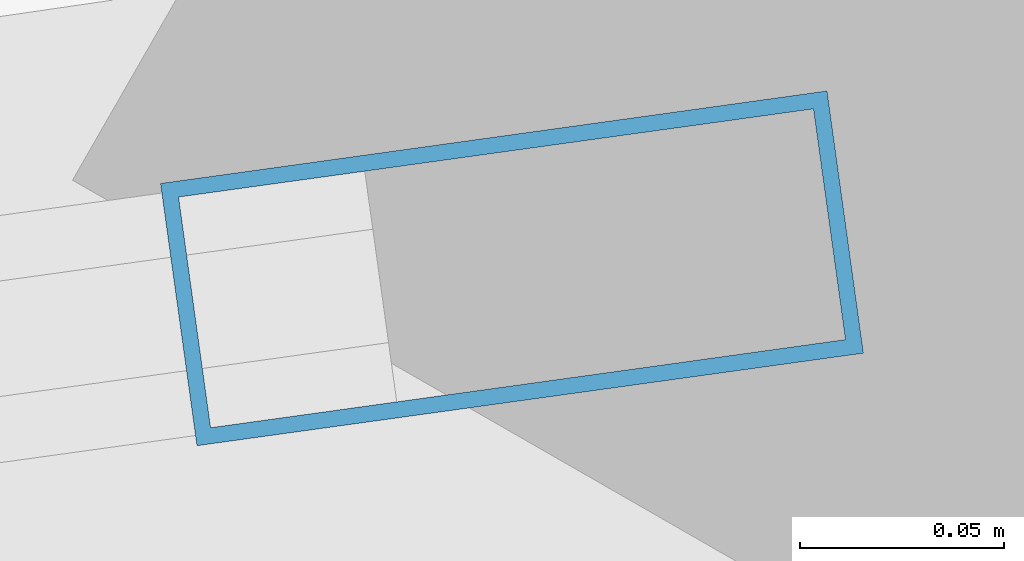
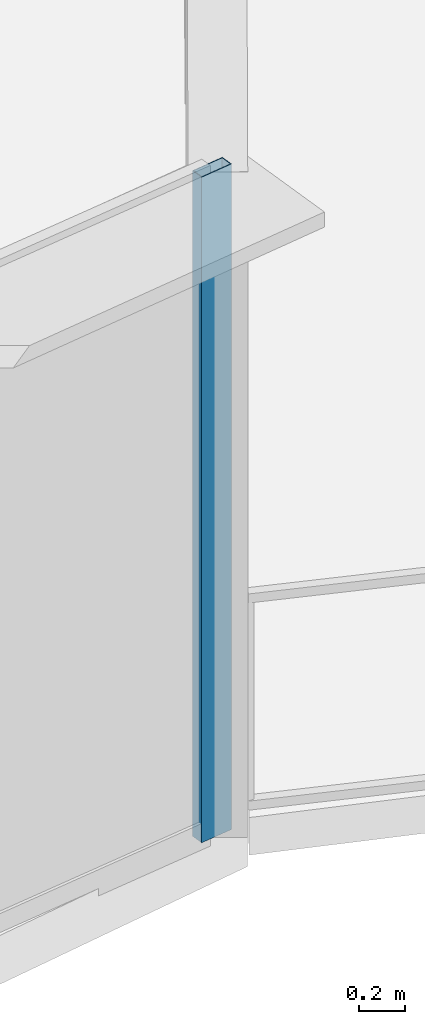
# One storey, part 20 of 38: 1 member, 1 element without a shape of its own.
"""IFC4 building model written with IfcOpenShell, lengths in metres."""

from ifc_helpers import new_model, si_unit, direction, frame, origin, origin_2d, place, context, subcontext, project, spatial, hollow_rectangle, extrude, source, transform, mapped, material, layer, layer_set, material_profile, profile_set, type_object, element, aggregate, save


model = new_model("IFC4")

# Units and contexts
model_context = context("Model", 3, precision=1e-05, world=origin(), true_north=direction((0.0, 1.0)))
body_context = subcontext(model_context, "Body", "Model", "MODEL_VIEW")
ifc_project = project(units=[si_unit("LENGTHUNIT", "METRE"), si_unit("AREAUNIT", "SQUARE_METRE"), si_unit("VOLUMEUNIT", "CUBIC_METRE"), si_unit("PLANEANGLEUNIT", "RADIAN"), si_unit("MASSUNIT", "GRAM", prefix="KILO"), si_unit("THERMODYNAMICTEMPERATUREUNIT", "KELVIN"), si_unit("POWERUNIT", "WATT")], contexts=[model_context])

# Site, building, storey
site_placement = place(None, origin())
site = spatial("IfcSite", under=ifc_project, at=site_placement, CompositionType="ELEMENT")
building_placement = place(site_placement, origin())
building = spatial("IfcBuilding", under=site, at=building_placement, Name="Yunzhuo Pagoda Commons", CompositionType="ELEMENT")
storey_placement = place(building_placement, frame((0.0, 0.0, 81.179931640625)))
storey = spatial("IfcBuildingStorey", under=building, at=storey_placement, Name="L20", CompositionType="ELEMENT", Elevation=81.179931640625)

# Curtain wall, member
ifc_material = material(Name="Anodized aluminium 6063-T6", Category="aluminium")
ifc_layer = layer(ifc_material, 0.1650390625)
ifc_layer_set = layer_set([ifc_layer], Name="Anodized aluminium 6063-T6")
curtain_wall_type = type_object("IfcCurtainWallType", Name="CW-LOW Low-Zone Ribbon Curtain Wall", PredefinedType="NOTDEFINED", material=ifc_layer_set)
curtain_wall_placement = place(storey_placement, origin())
curtain_wall = element("IfcCurtainWall", 1, at=curtain_wall_placement, inside=storey, type_object=curtain_wall_type, Name="L20 curtain wall CW-L20-F1B5", PredefinedType="NOTDEFINED")
ifc_material_profile = material_profile(ifc_material, hollow_rectangle(XDim=0.06494140625, YDim=0.1650390625, WallThickness=0.00390625, at=origin_2d()), Name="Anodized aluminium 6063-T6")
ifc_profile_set = profile_set([ifc_material_profile], Name="Anodized aluminium 6063-T6")
member_type = type_object("IfcMemberType", Name="CW-LOW-M Mullion RHS 165x65x4", PredefinedType="MULLION", material=ifc_profile_set)
shared_shape = source(origin(), body_context, "Body", "SweptSolid", [
    extrude(hollow_rectangle(XDim=0.06494140625, YDim=0.1650390625, WallThickness=0.00390625, at=origin_2d()), origin(), (0.0, 0.0, 1.0), 3.5400390625),
])
member_placement = place(storey_placement, frame((85.505126953125, 15.00634765625, 0.0), z_axis=(0.0, 0.0, 1.0), x_axis=(-0.137495700118, 0.990502363677, 0.0)))
member = element("IfcMember", 2, at=member_placement, type_object=member_type, Name="CW mullion 2", PredefinedType="MULLION", context=body_context, shape_type="MappedRepresentation", body=[
    mapped(shared_shape, transform((0.0, 0.0, 0.0), scale=1.0)),
])
aggregate(curtain_wall, [member])

save(model, "model.ifc")
